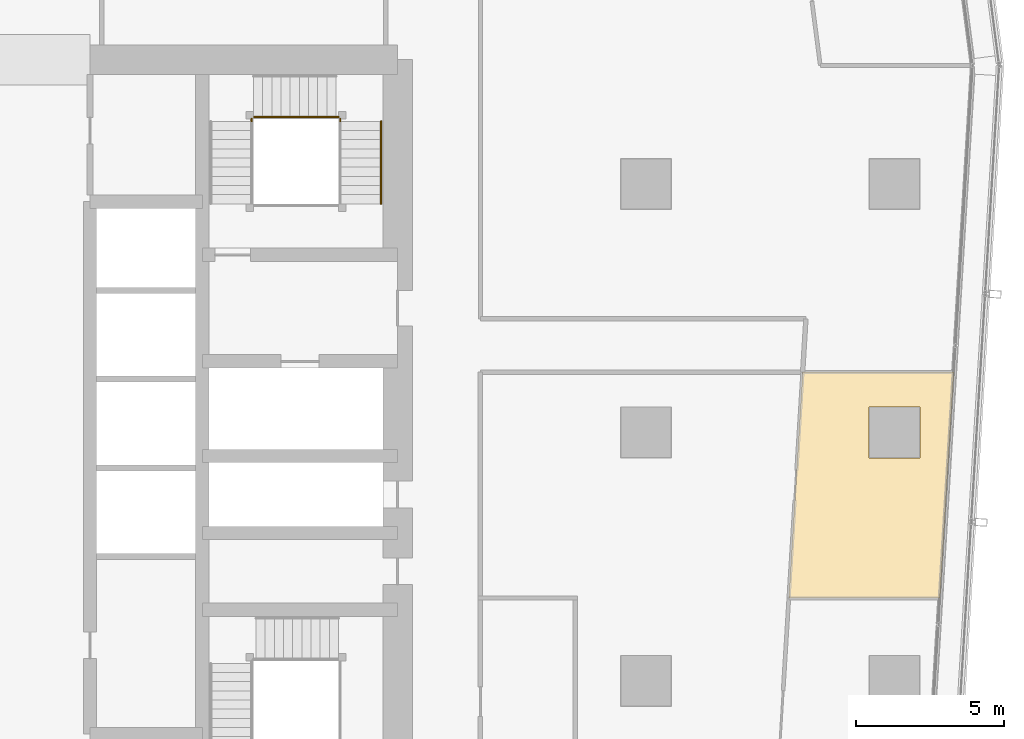
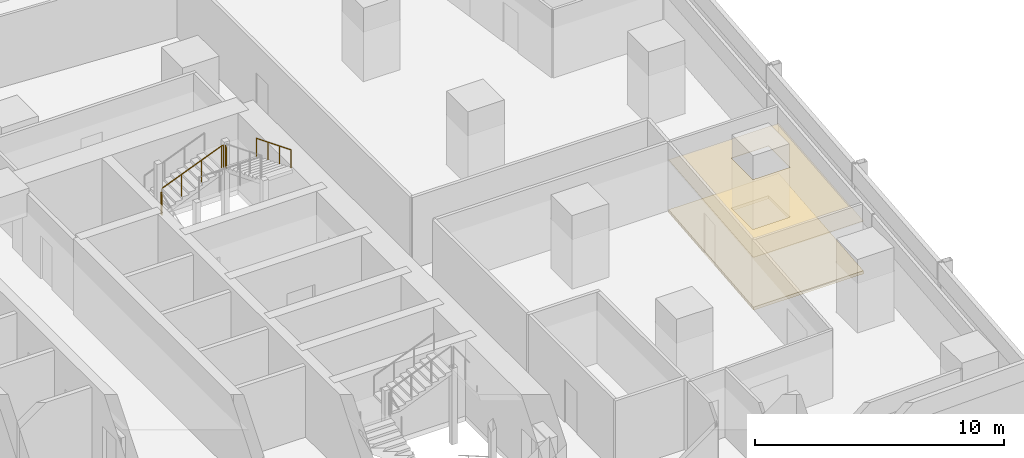
# One storey, part 39 of 40: 5 railings, 2 coverings.
"""IFC4 building model written with IfcOpenShell, lengths in metres."""

from ifc_helpers import new_model, si_unit, direction, frame, origin, origin_2d, place, context, subcontext, project, spatial, polyline, circle, outline, extrude, material, layer, layer_set, type_object, element, save


model = new_model("IFC4")

# Units and contexts
model_context = context("Model", 3, precision=1e-05, world=origin(), true_north=direction((0.0, 1.0)))
body_context = subcontext(model_context, "Body", "Model", "MODEL_VIEW")
ifc_project = project(units=[si_unit("LENGTHUNIT", "METRE"), si_unit("AREAUNIT", "SQUARE_METRE"), si_unit("VOLUMEUNIT", "CUBIC_METRE"), si_unit("PLANEANGLEUNIT", "RADIAN"), si_unit("MASSUNIT", "GRAM", prefix="KILO")], contexts=[model_context])

# Site, building, storey
site_placement = place(None, origin())
site = spatial("IfcSite", under=ifc_project, at=site_placement, CompositionType="ELEMENT")
building_placement = place(site_placement, origin())
building = spatial("IfcBuilding", under=site, at=building_placement, Name="Rekha Terrace Tower", CompositionType="ELEMENT")
storey_placement = place(building_placement, frame((0.0, 0.0, 136.550048828125)))
storey = spatial("IfcBuildingStorey", under=building, at=storey_placement, Name="L34", CompositionType="ELEMENT", Elevation=136.550048828125)

# Covering
ifc_material_1 = material(Name="Mineral fibre tile in exposed grid", Category="finish")
ifc_layer_1 = layer(ifc_material_1, 0.02001953125)
ifc_layer_set_1 = layer_set([ifc_layer_1], Name="Mineral fibre tile in exposed grid")
covering_type_1 = type_object("IfcCoveringType", Name="CL1 600x1200 office grid ceiling", PredefinedType="CEILING", material=ifc_layer_set_1)
covering_1_placement = place(storey_placement, frame((0.0, 0.0, 2.579833984375)))
element("IfcCovering", 1, at=covering_1_placement, inside=storey, type_object=covering_type_1, Name="Ceiling L34-05", PredefinedType="CEILING", context=body_context, shape_type="SweptSolid", body=[
    extrude(outline(polyline([(63.625, 27.9970703125), (68.735107421875, 27.9970703125), (69.202880859375, 35.633056640625), (64.093017578125, 35.633056640625), (63.625, 27.9970703125)]), holes=[polyline([(68.06494140625, 34.465087890625), (68.06494140625, 32.735107421875), (66.3349609375, 32.735107421875), (66.3349609375, 34.465087890625), (68.06494140625, 34.465087890625)])]), origin(), (0.0, 0.0, 1.0), 0.02001953125),
])

# Railings
ifc_material_2 = material(Name="Stainless steel balustrade", Category="steel")
railing_type_1 = type_object("IfcRailingType", Name="GR1 1100 stair guard", PredefinedType="GUARDRAIL", material=ifc_material_2)
railing_1_placement = place(storey_placement, frame((45.52490234375, 44.260009765625, 1.375)))
element("IfcRailing", 2, at=railing_1_placement, inside=storey, type_object=railing_type_1, Name="Guard ST2 L34 flight 2", PredefinedType="GUARDRAIL", context=body_context, shape_type="SweptSolid", body=[
    extrude(circle(Radius=0.02392578125, at=origin_2d()), frame((0.0, 0.0, 1.076171875), z_axis=(0.927443287984, 0.0, 0.373963831907), x_axis=(0.0, 1.0, 0.0)), (0.0, 0.0, 1.0), 3.00830078125),
    extrude(circle(Radius=0.02099609375, at=origin_2d()), origin(), (0.0, 0.0, 1.0), 1.052001953125),
    extrude(circle(Radius=0.02099609375, at=origin_2d()), frame((0.929931640625, 0.0, 0.375)), (0.0, 0.0, 1.0), 1.052001953125),
    extrude(circle(Radius=0.02099609375, at=origin_2d()), frame((1.860107421875, 0.0, 0.75)), (0.0, 0.0, 1.0), 1.052001953125),
    extrude(circle(Radius=0.02099609375, at=origin_2d()), frame((2.7900390625, 0.0, 1.125)), (0.0, 0.0, 1.0), 1.052001953125),
])
railing_2_placement = place(storey_placement, frame((45.465087890625, 44.114990234375, 1.25)))
element("IfcRailing", 3, at=railing_2_placement, inside=storey, type_object=railing_type_1, Name="Guard ST2 L34 landing 1", PredefinedType="GUARDRAIL", context=body_context, shape_type="SweptSolid", body=[
    extrude(circle(Radius=0.02392578125, at=origin_2d()), frame((0.0, 0.0, 1.076171875), z_axis=(0.0, 1.0, 0.0), x_axis=(-1.0, 0.0, 0.0)), (0.0, 0.0, 1.0), 0.0849609375),
    extrude(circle(Radius=0.02099609375, at=origin_2d()), origin(), (0.0, 0.0, 1.0), 1.052001953125),
    extrude(circle(Radius=0.02099609375, at=origin_2d()), frame((0.0, 0.0849609375, 0.0)), (0.0, 0.0, 1.0), 1.052001953125),
])
railing_3_placement = place(storey_placement, frame((48.31494140625, 44.260009765625, 2.5)))
element("IfcRailing", 4, at=railing_3_placement, inside=storey, type_object=railing_type_1, Name="Guard ST2 L34 landing 2", PredefinedType="GUARDRAIL", context=body_context, shape_type="SweptSolid", body=[
    extrude(circle(Radius=0.02392578125, at=origin_2d()), frame((0.0, 0.0, 1.076171875), z_axis=(1.0, 0.0, 0.0), x_axis=(0.0, 1.0, 0.0)), (0.0, 0.0, 1.0), 0.0849609375),
    extrude(circle(Radius=0.02099609375, at=origin_2d()), origin(), (0.0, 0.0, 1.0), 1.052001953125),
    extrude(circle(Radius=0.02099609375, at=origin_2d()), frame((0.0849609375, 0.0, 0.0)), (0.0, 0.0, 1.0), 1.052001953125),
])
railing_4_placement = place(storey_placement, frame((48.4599609375, 44.114990234375, 2.5)))
element("IfcRailing", 5, at=railing_4_placement, inside=storey, type_object=railing_type_1, Name="Guard ST2 L34 landing 3", PredefinedType="GUARDRAIL", context=body_context, shape_type="SweptSolid", body=[
    extrude(circle(Radius=0.02392578125, at=origin_2d()), frame((0.0, 0.0, 1.076171875), z_axis=(0.0, 1.0, 0.0), x_axis=(-1.0, 0.0, 0.0)), (0.0, 0.0, 1.0), 0.0849609375),
    extrude(circle(Radius=0.02099609375, at=origin_2d()), origin(), (0.0, 0.0, 1.0), 1.052001953125),
    extrude(circle(Radius=0.02099609375, at=origin_2d()), frame((0.0, 0.0849609375, 0.0)), (0.0, 0.0, 1.0), 1.052001953125),
])
ifc_material_3 = material(Name="Stainless steel tube", Category="steel")
railing_type_2 = type_object("IfcRailingType", Name="HR1 900 stair handrail", PredefinedType="HANDRAIL", material=ifc_material_3)
railing_5_placement = place(storey_placement, frame((49.840087890625, 44.114990234375, 2.625)))
element("IfcRailing", 6, at=railing_5_placement, inside=storey, type_object=railing_type_2, Name="Handrail ST2 L34 flight 3", PredefinedType="HANDRAIL", context=body_context, shape_type="SweptSolid", body=[
    extrude(circle(Radius=0.02392578125, at=origin_2d()), frame((0.0, 0.0, 0.8759765625), z_axis=(0.0, -0.927443287984, 0.373963831907), x_axis=(1.0, 0.0, 0.0)), (0.0, 0.0, 1.0), 3.00830078125),
    extrude(circle(Radius=0.02099609375, at=origin_2d()), origin(), (0.0, 0.0, 1.0), 0.851806640625),
    extrude(circle(Radius=0.02099609375, at=origin_2d()), frame((0.0, -0.929931640625, 0.375)), (0.0, 0.0, 1.0), 0.851806640625),
    extrude(circle(Radius=0.02099609375, at=origin_2d()), frame((0.0, -1.860107421875, 0.75)), (0.0, 0.0, 1.0), 0.851806640625),
    extrude(circle(Radius=0.02099609375, at=origin_2d()), frame((0.0, -2.7900390625, 1.125)), (0.0, 0.0, 1.0), 0.851806640625),
])

# Covering
ifc_material_4 = material(Name="Calcium sulphate panels on steel pedestals", Category="steel")
ifc_layer_2 = layer(ifc_material_4, 0.14990234375)
ifc_layer_set_2 = layer_set([ifc_layer_2], Name="Calcium sulphate panels on steel pedestals")
covering_type_2 = type_object("IfcCoveringType", Name="RF1 150 raised access floor", PredefinedType="FLOORING", material=ifc_layer_set_2)
covering_2_placement = place(storey_placement, origin())
element("IfcCovering", 7, at=covering_2_placement, inside=storey, type_object=covering_type_2, Name="Raised floor L34-05", PredefinedType="FLOORING", context=body_context, shape_type="SweptSolid", body=[
    extrude(outline(polyline([(63.625, 27.9970703125), (68.735107421875, 27.9970703125), (69.202880859375, 35.633056640625), (64.093017578125, 35.633056640625), (63.625, 27.9970703125)]), holes=[polyline([(68.06494140625, 34.465087890625), (68.06494140625, 32.735107421875), (66.3349609375, 32.735107421875), (66.3349609375, 34.465087890625), (68.06494140625, 34.465087890625)])]), origin(), (0.0, 0.0, 1.0), 0.14990234375),
])

save(model, "model.ifc")
